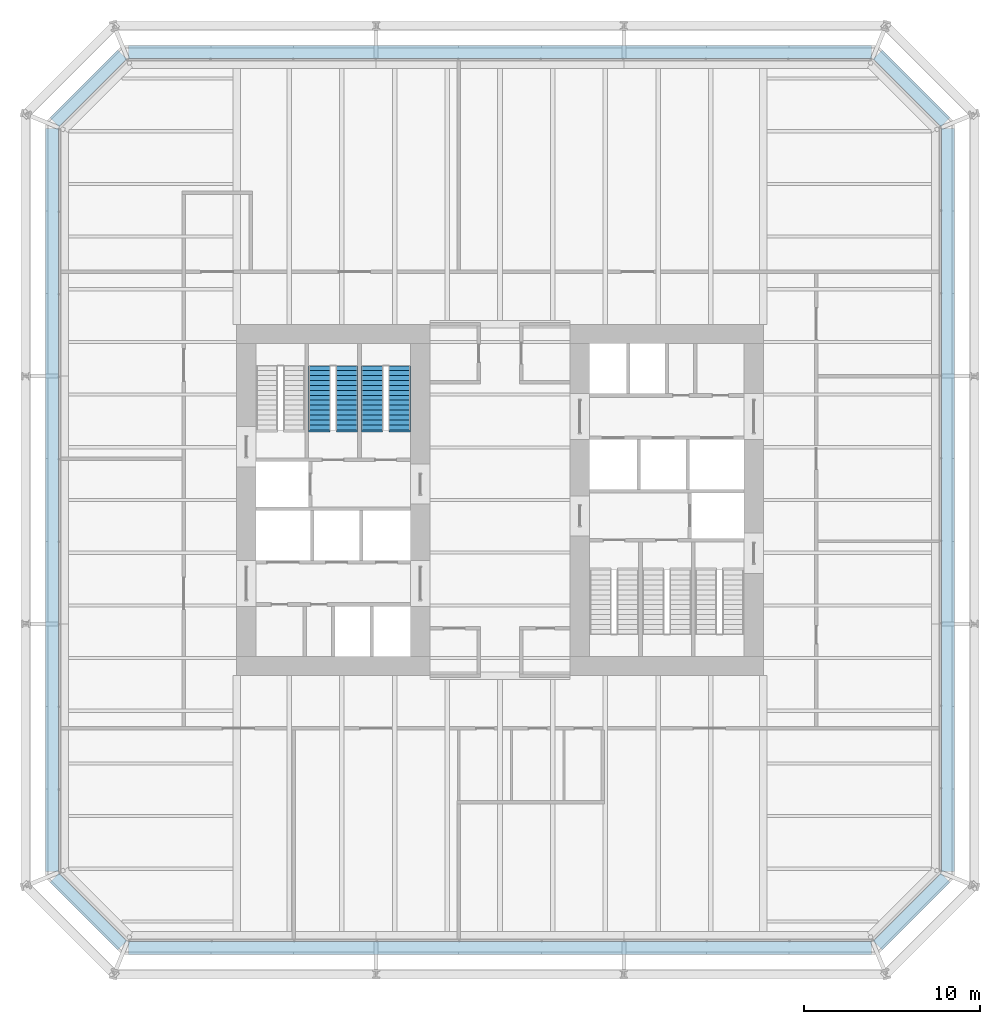
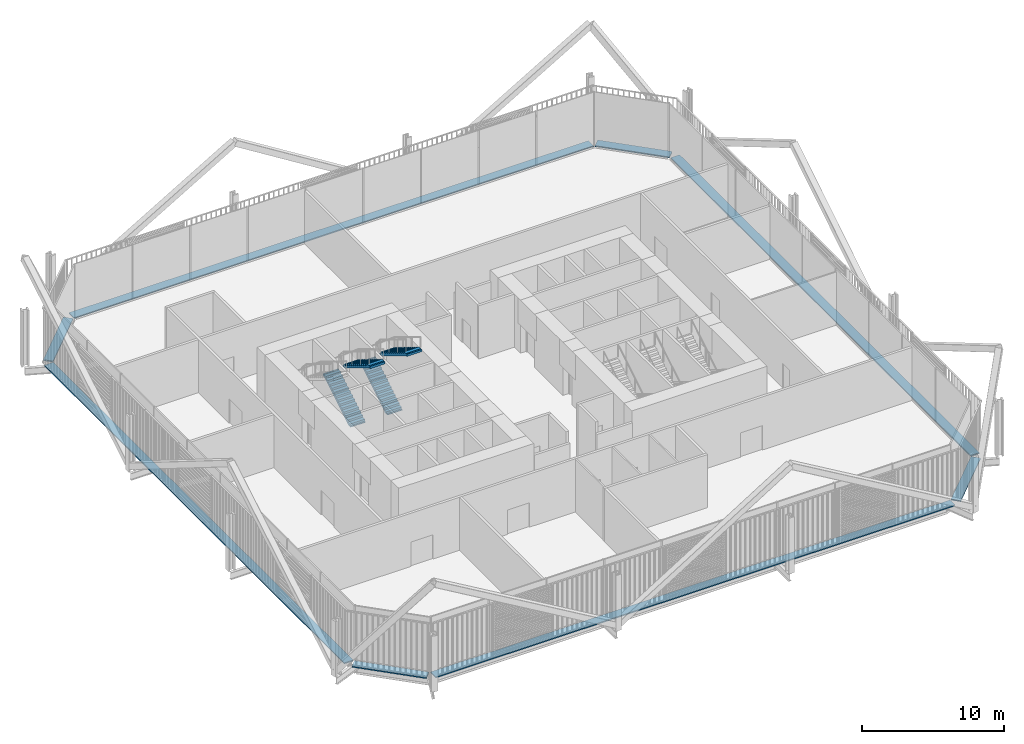
# One storey, part 21 of 22: 8 discrete accessories, 4 stair flights, 2 elements without a shape of their own.
"""IFC4 building model written with IfcOpenShell, lengths in metres."""

from ifc_helpers import new_model, si_unit, direction, frame, origin, origin_2d, place, context, subcontext, project, spatial, polyline, rectangle, outline, extrude, material, type_object, element, aggregate, save


model = new_model("IFC4")

# Units and contexts
model_context = context("Model", 3, precision=1e-05, world=origin(), true_north=direction((0.0, 1.0)))
body_context = subcontext(model_context, "Body", "Model", "MODEL_VIEW")
ifc_project = project(units=[si_unit("LENGTHUNIT", "METRE"), si_unit("AREAUNIT", "SQUARE_METRE"), si_unit("VOLUMEUNIT", "CUBIC_METRE"), si_unit("PLANEANGLEUNIT", "RADIAN"), si_unit("MASSUNIT", "GRAM", prefix="KILO")], contexts=[model_context])

# Site, building, storey
site_placement = place(None, origin())
site = spatial("IfcSite", under=ifc_project, at=site_placement, CompositionType="ELEMENT")
building_placement = place(site_placement, origin())
building = spatial("IfcBuilding", under=site, at=building_placement, Name="Millrace Tower", CompositionType="ELEMENT")
storey_placement = place(building_placement, frame((0.0, 0.0, 20.89990234375)))
storey = spatial("IfcBuildingStorey", under=building, at=storey_placement, Name="L05", CompositionType="ELEMENT", Elevation=20.89990234375)

# Stair, stair flights
ifc_material_1 = material(Name="Concrete C35", Category="concrete")
stair_type = type_object("IfcStairType", Name="Exit stair", PredefinedType="HALF_TURN_STAIR", material=ifc_material_1)
placement = place(storey_placement, origin())
stair_1 = element("IfcStair", 1, at=placement, inside=storey, type_object=stair_type, Name="Stair 2 W L05", PredefinedType="HALF_TURN_STAIR")
ifc_material_2 = material(Name="Concrete C35", Category="concrete")
stair_flight_type = type_object("IfcStairFlightType", Name="Exit stair flight", PredefinedType="STRAIGHT", material=ifc_material_2)
stair_flight_1_placement = place(storey_placement, frame((-10.2900390625, 4.0, 0.0), z_axis=(0.0, 0.0, 1.0), x_axis=(0.0, 1.0, 0.0)))
stair_flight_1 = element("IfcStairFlight", 2, at=stair_flight_1_placement, type_object=stair_flight_type, Name="ST12 flight 1", NumberOfRisers=14, NumberOfTreads=13, PredefinedType="STRAIGHT", RiserHeight=0.171428571, TreadLength=0.28, context=body_context, shape_type="SweptSolid", body=[
    extrude(outline(polyline([(-0.1201171875, -0.0400390625), (-0.1201171875, 0.0), (0.0, 0.0), (0.0, 0.17138671875), (0.280029296875, 0.17138671875), (0.280029296875, 0.3427734375), (0.56005859375, 0.3427734375), (0.56005859375, 0.514404296875), (0.840087890625, 0.514404296875), (0.840087890625, 0.685791015625), (1.1201171875, 0.685791015625), (1.1201171875, 0.857177734375), (1.39990234375, 0.857177734375), (1.39990234375, 1.028564453125), (1.679931640625, 1.028564453125), (1.679931640625, 1.199951171875), (1.9599609375, 1.199951171875), (1.9599609375, 1.371337890625), (2.239990234375, 1.371337890625), (2.239990234375, 1.54296875), (2.52001953125, 1.54296875), (2.52001953125, 1.71435546875), (2.800048828125, 1.71435546875), (2.800048828125, 1.8857421875), (3.080078125, 1.8857421875), (3.080078125, 2.05712890625), (3.360107421875, 2.05712890625), (3.360107421875, 2.228515625), (3.639892578125, 2.228515625), (3.639892578125, 2.24853515625), (3.760009765625, 2.24853515625), (3.760009765625, 2.052734375), (3.639892578125, 2.052734375), (0.287109375, 0.0), (0.287109375, -0.0400390625), (-0.1201171875, -0.0400390625)])), frame((0.0, 0.60986328125, 0.0), z_axis=(0.0, -1.0, 0.0), x_axis=(1.0, 0.0, 0.0)), (0.0, 0.0, 1.0), 1.219970703125),
])
stair_flight_2_placement = place(storey_placement, frame((-8.7099609375, 7.639892578125, 2.400146484375), z_axis=(0.0, 0.0, 1.0), x_axis=(0.0, -1.0, 0.0)))
stair_flight_2 = element("IfcStairFlight", 3, at=stair_flight_2_placement, type_object=stair_flight_type, Name="ST12 flight 2", NumberOfRisers=14, NumberOfTreads=13, PredefinedType="STRAIGHT", RiserHeight=0.171428571, TreadLength=0.28, context=body_context, shape_type="SweptSolid", body=[
    extrude(outline(polyline([(-0.1201171875, -0.0400390625), (-0.1201171875, 0.0), (0.0, 0.0), (0.0, 0.17138671875), (0.280029296875, 0.17138671875), (0.280029296875, 0.3427734375), (0.56005859375, 0.3427734375), (0.56005859375, 0.514404296875), (0.840087890625, 0.514404296875), (0.840087890625, 0.685791015625), (1.1201171875, 0.685791015625), (1.1201171875, 0.857177734375), (1.39990234375, 0.857177734375), (1.39990234375, 1.028564453125), (1.679931640625, 1.028564453125), (1.679931640625, 1.199951171875), (1.9599609375, 1.199951171875), (1.9599609375, 1.371337890625), (2.239990234375, 1.371337890625), (2.239990234375, 1.54296875), (2.52001953125, 1.54296875), (2.52001953125, 1.71435546875), (2.800048828125, 1.71435546875), (2.800048828125, 1.8857421875), (3.080078125, 1.8857421875), (3.080078125, 2.05712890625), (3.360107421875, 2.05712890625), (3.360107421875, 2.228515625), (3.639892578125, 2.228515625), (3.639892578125, 2.24853515625), (3.760009765625, 2.24853515625), (3.760009765625, 2.052734375), (3.639892578125, 2.052734375), (0.287109375, 0.0), (0.287109375, -0.0400390625), (-0.1201171875, -0.0400390625)])), frame((0.0, 0.60986328125, 0.0), z_axis=(0.0, -1.0, 0.0), x_axis=(1.0, 0.0, 0.0)), (0.0, 0.0, 1.0), 1.219970703125),
])
aggregate(stair_1, [stair_flight_1, stair_flight_2])

stair_2 = element("IfcStair", 4, at=placement, inside=storey, type_object=stair_type, Name="Stair 3 W L05", PredefinedType="HALF_TURN_STAIR")
stair_flight_3_placement = place(storey_placement, frame((-7.2900390625, 4.0, 0.0), z_axis=(0.0, 0.0, 1.0), x_axis=(0.0, 1.0, 0.0)))
stair_flight_3 = element("IfcStairFlight", 5, at=stair_flight_3_placement, type_object=stair_flight_type, Name="ST12 flight 1", NumberOfRisers=14, NumberOfTreads=13, PredefinedType="STRAIGHT", RiserHeight=0.171428571, TreadLength=0.28, context=body_context, shape_type="SweptSolid", body=[
    extrude(outline(polyline([(-0.1201171875, -0.0400390625), (-0.1201171875, 0.0), (0.0, 0.0), (0.0, 0.17138671875), (0.280029296875, 0.17138671875), (0.280029296875, 0.3427734375), (0.56005859375, 0.3427734375), (0.56005859375, 0.514404296875), (0.840087890625, 0.514404296875), (0.840087890625, 0.685791015625), (1.1201171875, 0.685791015625), (1.1201171875, 0.857177734375), (1.39990234375, 0.857177734375), (1.39990234375, 1.028564453125), (1.679931640625, 1.028564453125), (1.679931640625, 1.199951171875), (1.9599609375, 1.199951171875), (1.9599609375, 1.371337890625), (2.239990234375, 1.371337890625), (2.239990234375, 1.54296875), (2.52001953125, 1.54296875), (2.52001953125, 1.71435546875), (2.800048828125, 1.71435546875), (2.800048828125, 1.8857421875), (3.080078125, 1.8857421875), (3.080078125, 2.05712890625), (3.360107421875, 2.05712890625), (3.360107421875, 2.228515625), (3.639892578125, 2.228515625), (3.639892578125, 2.24853515625), (3.760009765625, 2.24853515625), (3.760009765625, 2.052734375), (3.639892578125, 2.052734375), (0.287109375, 0.0), (0.287109375, -0.0400390625), (-0.1201171875, -0.0400390625)])), frame((0.0, 0.60986328125, 0.0), z_axis=(0.0, -1.0, 0.0), x_axis=(1.0, 0.0, 0.0)), (0.0, 0.0, 1.0), 1.219970703125),
])
stair_flight_4_placement = place(storey_placement, frame((-5.7099609375, 7.639892578125, 2.400146484375), z_axis=(0.0, 0.0, 1.0), x_axis=(0.0, -1.0, 0.0)))
stair_flight_4 = element("IfcStairFlight", 6, at=stair_flight_4_placement, type_object=stair_flight_type, Name="ST12 flight 2", NumberOfRisers=14, NumberOfTreads=13, PredefinedType="STRAIGHT", RiserHeight=0.171428571, TreadLength=0.28, context=body_context, shape_type="SweptSolid", body=[
    extrude(outline(polyline([(-0.1201171875, -0.0400390625), (-0.1201171875, 0.0), (0.0, 0.0), (0.0, 0.17138671875), (0.280029296875, 0.17138671875), (0.280029296875, 0.3427734375), (0.56005859375, 0.3427734375), (0.56005859375, 0.514404296875), (0.840087890625, 0.514404296875), (0.840087890625, 0.685791015625), (1.1201171875, 0.685791015625), (1.1201171875, 0.857177734375), (1.39990234375, 0.857177734375), (1.39990234375, 1.028564453125), (1.679931640625, 1.028564453125), (1.679931640625, 1.199951171875), (1.9599609375, 1.199951171875), (1.9599609375, 1.371337890625), (2.239990234375, 1.371337890625), (2.239990234375, 1.54296875), (2.52001953125, 1.54296875), (2.52001953125, 1.71435546875), (2.800048828125, 1.71435546875), (2.800048828125, 1.8857421875), (3.080078125, 1.8857421875), (3.080078125, 2.05712890625), (3.360107421875, 2.05712890625), (3.360107421875, 2.228515625), (3.639892578125, 2.228515625), (3.639892578125, 2.24853515625), (3.760009765625, 2.24853515625), (3.760009765625, 2.052734375), (3.639892578125, 2.052734375), (0.287109375, 0.0), (0.287109375, -0.0400390625), (-0.1201171875, -0.0400390625)])), frame((0.0, 0.60986328125, 0.0), z_axis=(0.0, -1.0, 0.0), x_axis=(1.0, 0.0, 0.0)), (0.0, 0.0, 1.0), 1.219970703125),
])
aggregate(stair_2, [stair_flight_3, stair_flight_4])

# Discrete accessories
ifc_material_3 = material(Name="Stainless steel ASTM A240 type 316", Category="steel")
discrete_accessory_type = type_object("IfcDiscreteAccessoryType", Name="Thermally broken screen support rail", PredefinedType="BRACKET", material=ifc_material_3)
discrete_accessory_1_placement = place(storey_placement, frame((-23.435546875, -23.435546875, 0.0), z_axis=(0.0, 0.0, 1.0), x_axis=(0.707106781187, -0.707106781187, 0.0)))
element("IfcDiscreteAccessory", 7, at=discrete_accessory_1_placement, inside=storey, type_object=discrete_accessory_type, Name="Thermally broken screen support rail A-F01 L05 1", PredefinedType="BRACKET", context=body_context, shape_type="SweptSolid", body=[
    extrude(rectangle(XDim=5.44482421875, YDim=0.719970703125, at=origin_2d()), origin(), (0.0, 0.0, 1.0), 0.10009765625),
])
discrete_accessory_2_placement = place(storey_placement, frame((0.0, -25.510009765625, 0.0), z_axis=(0.0, 0.0, 1.0), x_axis=(1.0, 0.0, 0.0)))
element("IfcDiscreteAccessory", 8, at=discrete_accessory_2_placement, inside=storey, type_object=discrete_accessory_type, Name="Thermally broken screen support rail A-F02 L05 1", PredefinedType="BRACKET", context=body_context, shape_type="SweptSolid", body=[
    extrude(rectangle(XDim=42.300048828125, YDim=0.719970703125, at=origin_2d()), origin(), (0.0, 0.0, 1.0), 0.10009765625),
])
discrete_accessory_3_placement = place(storey_placement, frame((23.435546875, -23.435546875, 0.0), z_axis=(0.0, 0.0, 1.0), x_axis=(0.707106781187, 0.707106781187, 0.0)))
element("IfcDiscreteAccessory", 9, at=discrete_accessory_3_placement, inside=storey, type_object=discrete_accessory_type, Name="Thermally broken screen support rail A-F03 L05 1", PredefinedType="BRACKET", context=body_context, shape_type="SweptSolid", body=[
    extrude(rectangle(XDim=5.44482421875, YDim=0.719970703125, at=origin_2d()), origin(), (0.0, 0.0, 1.0), 0.10009765625),
])
discrete_accessory_4_placement = place(storey_placement, frame((25.510009765625, 0.0, 0.0), z_axis=(0.0, 0.0, 1.0), x_axis=(0.0, 1.0, 0.0)))
element("IfcDiscreteAccessory", 10, at=discrete_accessory_4_placement, inside=storey, type_object=discrete_accessory_type, Name="Thermally broken screen support rail A-F04 L05 1", PredefinedType="BRACKET", context=body_context, shape_type="SweptSolid", body=[
    extrude(rectangle(XDim=42.300048828125, YDim=0.719970703125, at=origin_2d()), origin(), (0.0, 0.0, 1.0), 0.10009765625),
])
discrete_accessory_5_placement = place(storey_placement, frame((23.435546875, 23.435546875, 0.0), z_axis=(0.0, 0.0, 1.0), x_axis=(-0.707106781187, 0.707106781187, 0.0)))
element("IfcDiscreteAccessory", 11, at=discrete_accessory_5_placement, inside=storey, type_object=discrete_accessory_type, Name="Thermally broken screen support rail A-F05 L05 1", PredefinedType="BRACKET", context=body_context, shape_type="SweptSolid", body=[
    extrude(rectangle(XDim=5.44482421875, YDim=0.719970703125, at=origin_2d()), origin(), (0.0, 0.0, 1.0), 0.10009765625),
])
discrete_accessory_6_placement = place(storey_placement, frame((0.0, 25.510009765625, 0.0), z_axis=(0.0, 0.0, 1.0), x_axis=(-1.0, 0.0, 0.0)))
element("IfcDiscreteAccessory", 12, at=discrete_accessory_6_placement, inside=storey, type_object=discrete_accessory_type, Name="Thermally broken screen support rail A-F06 L05 1", PredefinedType="BRACKET", context=body_context, shape_type="SweptSolid", body=[
    extrude(rectangle(XDim=42.300048828125, YDim=0.719970703125, at=origin_2d()), origin(), (0.0, 0.0, 1.0), 0.10009765625),
])
discrete_accessory_7_placement = place(storey_placement, frame((-23.435546875, 23.435546875, 0.0), z_axis=(0.0, 0.0, 1.0), x_axis=(-0.707106781187, -0.707106781187, 0.0)))
element("IfcDiscreteAccessory", 13, at=discrete_accessory_7_placement, inside=storey, type_object=discrete_accessory_type, Name="Thermally broken screen support rail A-F07 L05 1", PredefinedType="BRACKET", context=body_context, shape_type="SweptSolid", body=[
    extrude(rectangle(XDim=5.44482421875, YDim=0.719970703125, at=origin_2d()), origin(), (0.0, 0.0, 1.0), 0.10009765625),
])
discrete_accessory_8_placement = place(storey_placement, frame((-25.510009765625, 0.0, 0.0), z_axis=(0.0, 0.0, 1.0), x_axis=(0.0, -1.0, 0.0)))
element("IfcDiscreteAccessory", 14, at=discrete_accessory_8_placement, inside=storey, type_object=discrete_accessory_type, Name="Thermally broken screen support rail A-F08 L05 1", PredefinedType="BRACKET", context=body_context, shape_type="SweptSolid", body=[
    extrude(rectangle(XDim=42.300048828125, YDim=0.719970703125, at=origin_2d()), origin(), (0.0, 0.0, 1.0), 0.10009765625),
])

save(model, "model.ifc")
